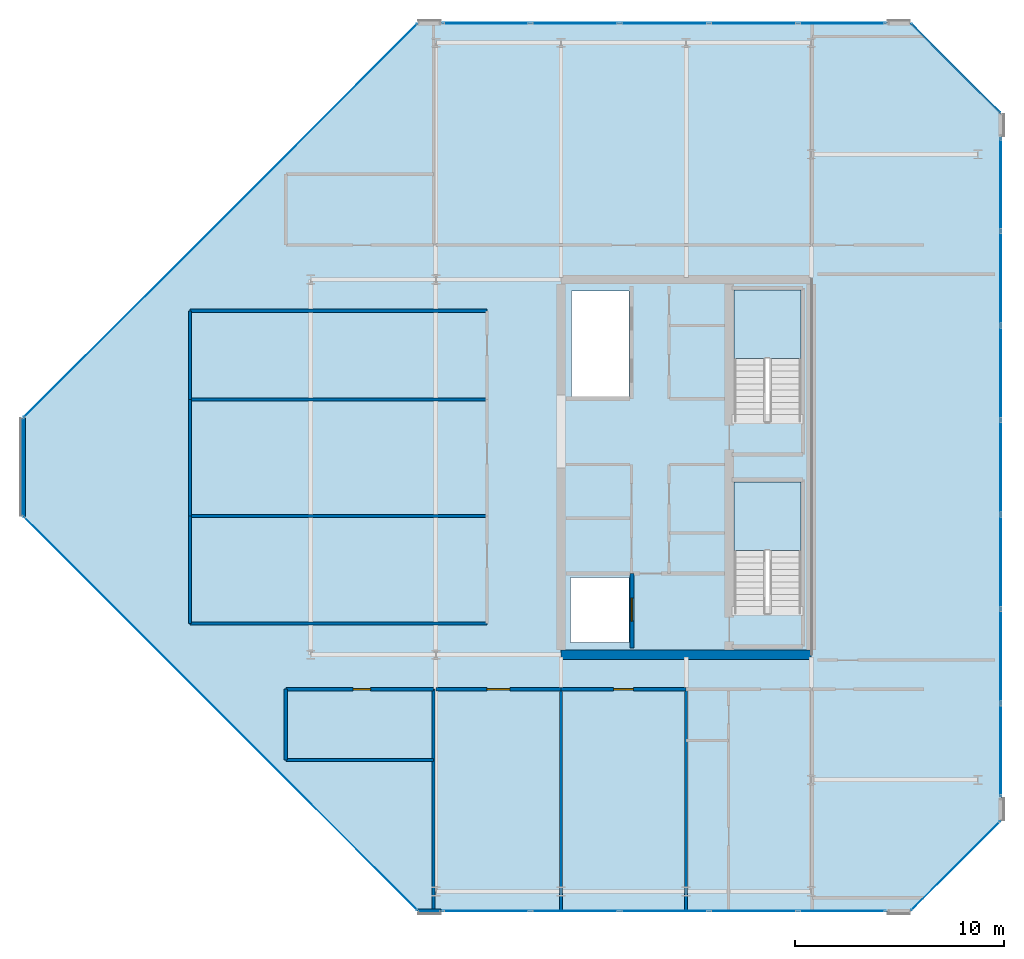
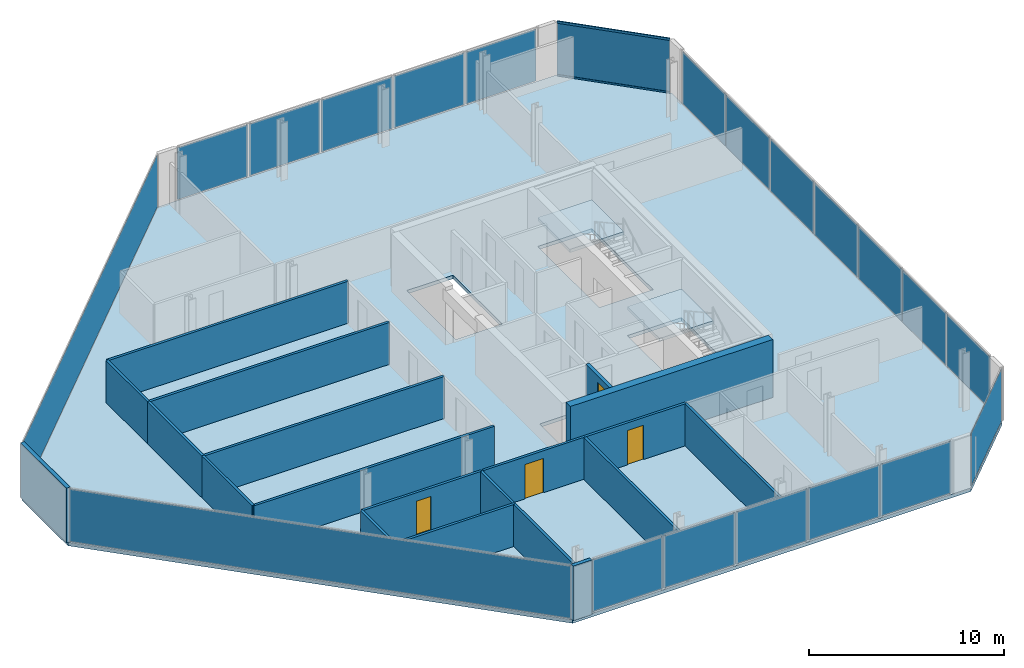
# One storey, part 13 of 17: 21 plates, 19 walls, 4 doors, 3 slabs, 2 members, 4 openings, 9 elements without a shape of their own.
"""IFC4 building model written with IfcOpenShell, lengths in metres."""

from ifc_helpers import new_model, si_unit, direction, frame, frame_2d, origin, origin_2d, place, context, subcontext, project, spatial, polyline, rectangle, hollow_rectangle, outline, extrude, material, layer, layer_set, material_profile, profile_set, type_object, element, fill, aggregate, save


model = new_model("IFC4")

# Units and contexts
model_context = context("Model", 3, precision=1e-05, world=origin(), true_north=direction((0.0, 1.0)))
body_context = subcontext(model_context, "Body", "Model", "MODEL_VIEW")
ifc_project = project(units=[si_unit("LENGTHUNIT", "METRE"), si_unit("AREAUNIT", "SQUARE_METRE"), si_unit("VOLUMEUNIT", "CUBIC_METRE"), si_unit("PLANEANGLEUNIT", "RADIAN"), si_unit("MASSUNIT", "GRAM", prefix="KILO")], contexts=[model_context])

# Site, building, storey
site_placement = place(None, origin())
site = spatial("IfcSite", under=ifc_project, at=site_placement, CompositionType="ELEMENT")
building_placement = place(site_placement, origin())
building = spatial("IfcBuilding", under=site, at=building_placement, Name="Tanjung Sevakor Pilgrim Tower", CompositionType="ELEMENT")
storey_placement = place(building_placement, frame((0.0, 0.0, 267.9599609375)))
storey = spatial("IfcBuildingStorey", under=building, at=storey_placement, Name="L75", CompositionType="ELEMENT", Elevation=267.9599609375)

# Curtain wall, members
ifc_material_1 = material(Name="Aluminium 6063-T6 and Low-E Glass", Category="aluminium")
ifc_layer_1 = layer(ifc_material_1, 0.179931640625)
ifc_layer_set_1 = layer_set([ifc_layer_1], Name="CW-SYS-CHAM")
curtain_wall_type_1 = type_object("IfcCurtainWallType", Name="CW-SYS-CHAM", PredefinedType="NOTDEFINED", material=ifc_layer_set_1)
curtain_wall_1_placement = place(storey_placement, origin())
curtain_wall_1 = element("IfcCurtainWall", 1, at=curtain_wall_1_placement, inside=storey, type_object=curtain_wall_type_1, Name="L75 Curtain Wall CW-CHM-L75-EAST-3", PredefinedType="NOTDEFINED")
ifc_material_2 = material(Name="Aluminium 6063-T6", Category="aluminium")
ifc_material_profile = material_profile(ifc_material_2, hollow_rectangle(XDim=0.06494140625, YDim=0.139892578125, WallThickness=0.00390625, at=origin_2d()))
ifc_profile_set = profile_set([ifc_material_profile], Name="Aluminium 6063-T6")
member_type = type_object("IfcMemberType", Name="TYPE-CWT-1", PredefinedType="USERDEFINED", material=ifc_profile_set)
member_1_placement = place(storey_placement, frame((99.0439453125, 50.600341796875, 0.032470703125), z_axis=(-0.707106781187, 0.707106781187, 0.0), x_axis=(-0.707106781187, -0.707106781187, 0.0)))
member_1 = element("IfcMember", 2, at=member_1_placement, type_object=member_type, Name="CW-CHM transom 1.1", ObjectType="TRANSOM", PredefinedType="USERDEFINED", context=body_context, shape_type="SweptSolid", body=[
    extrude(hollow_rectangle(XDim=0.06494140625, YDim=0.139892578125, WallThickness=0.00390625, at=origin_2d()), origin(), (0.0, 0.0, 1.0), 6.00146484375),
])
member_2_placement = place(storey_placement, frame((99.0439453125, 50.600341796875, 3.37744140625), z_axis=(-0.707106781187, 0.707106781187, 0.0), x_axis=(-0.707106781187, -0.707106781187, 0.0)))
member_2 = element("IfcMember", 3, at=member_2_placement, type_object=member_type, Name="CW-CHM transom 1.2", ObjectType="TRANSOM", PredefinedType="USERDEFINED", context=body_context, shape_type="SweptSolid", body=[
    extrude(hollow_rectangle(XDim=0.06494140625, YDim=0.139892578125, WallThickness=0.00390625, at=origin_2d()), origin(), (0.0, 0.0, 1.0), 6.00146484375),
])

# Stair, slab
ifc_material_3 = material(Name="Concrete C40/50", Category="concrete")
stair_type = type_object("IfcStairType", Name="STAIR-ST-CR150", PredefinedType="HALF_TURN_STAIR", material=ifc_material_3)
stair_1_placement = place(storey_placement, origin())
stair_1 = element("IfcStair", 4, at=stair_1_placement, inside=storey, type_object=stair_type, Name="L75 East Core Exit Stair 1", PredefinedType="HALF_TURN_STAIR")
ifc_material_4 = material(Name="Concrete C40/50", Category="concrete")
ifc_layer_2 = layer(ifc_material_4, 0.199951171875)
ifc_layer_set_2 = layer_set([ifc_layer_2], Name="SL-LAND-200")
slab_type_1 = type_object("IfcSlabType", Name="SL-LAND-200", PredefinedType="LANDING", material=ifc_layer_set_2)
slab_1_placement = place(storey_placement, frame((0.0, 0.0, 1.614990234375)))
slab_1 = element("IfcSlab", 5, at=slab_1_placement, type_object=slab_type_1, Name="TS-E1 landing 1", PredefinedType="LANDING", context=body_context, shape_type="SweptSolid", body=[
    extrude(outline(polyline([(89.5, 29.60009765625), (89.5, 32.89990234375), (86.300048828125, 32.89990234375), (86.300048828125, 29.60009765625), (89.5, 29.60009765625)])), origin(), (0.0, 0.0, 1.0), 0.199951171875),
])
aggregate(stair_1, [slab_1])

stair_2_placement = place(storey_placement, origin())
stair_2 = element("IfcStair", 6, at=stair_2_placement, inside=storey, type_object=stair_type, Name="L75 East Core Exit Stair 2", PredefinedType="HALF_TURN_STAIR")
slab_2_placement = place(storey_placement, frame((0.0, 0.0, 1.614990234375)))
slab_2 = element("IfcSlab", 7, at=slab_2_placement, type_object=slab_type_1, Name="TS-E2 landing 1", PredefinedType="LANDING", context=body_context, shape_type="SweptSolid", body=[
    extrude(outline(polyline([(89.5, 38.800048828125), (89.5, 42.10009765625), (86.300048828125, 42.10009765625), (86.300048828125, 38.800048828125), (89.5, 38.800048828125)])), origin(), (0.0, 0.0, 1.0), 0.199951171875),
])
aggregate(stair_2, [slab_2])

# Slab
ifc_material_5 = material(Name="Concrete C40/50", Category="concrete")
ifc_layer_3 = layer(ifc_material_5, 0.219970703125)
ifc_layer_set_3 = layer_set([ifc_layer_3], Name="SL-TWR-220")
slab_type_2 = type_object("IfcSlabType", Name="SL-TWR-220", PredefinedType="FLOOR", material=ifc_layer_set_3)
slab_3_placement = place(storey_placement, frame((0.0, 0.0, -0.219970703125)))
element("IfcSlab", 8, at=slab_3_placement, inside=storey, type_object=slab_type_2, Name="L75 Floor Slab EAST", PredefinedType="FLOOR", context=body_context, shape_type="SweptSolid", body=[
    extrude(outline(polyline([(71.14697265625, 12.280029296875), (94.753173828125, 12.280029296875), (99.1201171875, 16.64697265625), (99.1201171875, 50.552978515625), (94.753173828125, 54.919921875), (71.14697265625, 54.919921875), (52.179931640625, 35.953125), (52.179931640625, 31.246826171875), (71.14697265625, 12.280029296875)]), holes=[polyline([(89.5, 26.60009765625), (89.5, 32.89990234375), (86.300048828125, 32.89990234375), (86.300048828125, 26.60009765625), (89.5, 26.60009765625)]), polyline([(89.5, 35.800048828125), (89.5, 42.10009765625), (86.300048828125, 42.10009765625), (86.300048828125, 35.800048828125), (89.5, 35.800048828125)]), polyline([(78.449951171875, 25.199951171875), (81.25, 25.199951171875), (81.25, 28.300048828125), (78.449951171875, 28.300048828125), (78.449951171875, 25.199951171875)]), polyline([(78.5, 37.0), (81.25, 37.0), (81.25, 42.050048828125), (78.5, 42.050048828125), (78.5, 37.0)])]), origin(), (0.0, 0.0, 1.0), 0.219970703125),
])

# Curtain wall, plate
curtain_wall_2_placement = place(storey_placement, origin())
curtain_wall_2 = element("IfcCurtainWall", 9, at=curtain_wall_2_placement, inside=storey, type_object=curtain_wall_type_1, Name="L75 Curtain Wall CW-CHM-L75-EAST-1", PredefinedType="NOTDEFINED")
ifc_material_6 = material(Name="Laminated Low-E Double Glazing", Category="glass")
ifc_layer_4 = layer(ifc_material_6, 0.028076171875)
ifc_layer_set_4 = layer_set([ifc_layer_4], Name="TYPE-CWP-GLZ1")
plate_type_1 = type_object("IfcPlateType", Name="TYPE-CWP-GLZ1", PredefinedType="CURTAIN_PANEL", material=ifc_layer_set_4)
plate_1_placement = place(storey_placement, frame((96.922119140625, 14.477783203125, 0.06494140625), z_axis=(0.0, 0.0, 1.0), x_axis=(0.707106781187, 0.707106781187, 0.0)))
plate_1 = element("IfcPlate", 10, at=plate_1_placement, type_object=plate_type_1, Name="CW-CHM panel 1.1", PredefinedType="CURTAIN_PANEL", context=body_context, shape_type="SweptSolid", body=[
    extrude(rectangle(XDim=6.00146484375, YDim=0.028076171875, at=origin_2d()), origin(), (0.0, 0.0, 1.0), 3.280029296875),
])
aggregate(curtain_wall_2, [plate_1])

# Plate
plate_2_placement = place(storey_placement, frame((96.922119140625, 52.72216796875, 0.06494140625), z_axis=(0.0, 0.0, 1.0), x_axis=(-0.707106781187, 0.707106781187, 0.0)))
plate_2 = element("IfcPlate", 11, at=plate_2_placement, type_object=plate_type_1, Name="CW-CHM panel 1.1", PredefinedType="CURTAIN_PANEL", context=body_context, shape_type="SweptSolid", body=[
    extrude(rectangle(XDim=6.00146484375, YDim=0.028076171875, at=origin_2d()), origin(), (0.0, 0.0, 1.0), 3.280029296875),
])

aggregate(curtain_wall_1, [member_1, member_2, plate_2])

# Curtain wall, plate
curtain_wall_3_placement = place(storey_placement, origin())
curtain_wall_3 = element("IfcCurtainWall", 12, at=curtain_wall_3_placement, inside=storey, type_object=curtain_wall_type_1, Name="L75 Curtain Wall CW-CHM-L75-EAST-5", PredefinedType="NOTDEFINED")
plate_3_placement = place(storey_placement, frame((61.677734375, 45.422119140625, 0.06494140625), z_axis=(0.0, 0.0, 1.0), x_axis=(-0.707106781187, -0.707106781187, 0.0)))
plate_3 = element("IfcPlate", 13, at=plate_3_placement, type_object=plate_type_1, Name="CW-CHM panel 1.1", PredefinedType="CURTAIN_PANEL", context=body_context, shape_type="SweptSolid", body=[
    extrude(rectangle(XDim=26.64892578125, YDim=0.028076171875, at=origin_2d()), origin(), (0.0, 0.0, 1.0), 3.280029296875),
])
aggregate(curtain_wall_3, [plate_3])

curtain_wall_4_placement = place(storey_placement, origin())
curtain_wall_4 = element("IfcCurtainWall", 14, at=curtain_wall_4_placement, inside=storey, type_object=curtain_wall_type_1, Name="L75 Curtain Wall CW-CHM-L75-EAST-7", PredefinedType="NOTDEFINED")
plate_4_placement = place(storey_placement, frame((61.677734375, 21.77783203125, 0.06494140625), z_axis=(0.0, 0.0, 1.0), x_axis=(0.707106781187, -0.707106781187, 0.0)))
plate_4 = element("IfcPlate", 15, at=plate_4_placement, type_object=plate_type_1, Name="CW-CHM panel 1.1", PredefinedType="CURTAIN_PANEL", context=body_context, shape_type="SweptSolid", body=[
    extrude(rectangle(XDim=26.64892578125, YDim=0.028076171875, at=origin_2d()), origin(), (0.0, 0.0, 1.0), 3.280029296875),
])
aggregate(curtain_wall_4, [plate_4])

# Curtain wall, plates
ifc_material_7 = material(Name="Aluminium 6063-T6 and Low-E Glass", Category="aluminium")
ifc_layer_5 = layer(ifc_material_7, 0.219970703125)
ifc_layer_set_5 = layer_set([ifc_layer_5], Name="CW-SYS-CRNE")
curtain_wall_type_2 = type_object("IfcCurtainWallType", Name="CW-SYS-CRNE", PredefinedType="NOTDEFINED", material=ifc_layer_set_5)
curtain_wall_5_placement = place(storey_placement, origin())
curtain_wall_5 = element("IfcCurtainWall", 16, at=curtain_wall_5_placement, inside=storey, type_object=curtain_wall_type_2, Name="L75 Curtain Wall CW-CRN-L75-EAST-0-1", PredefinedType="NOTDEFINED")
ifc_material_8 = material(Name="Solar-Control Low-E Acoustic Glazing", Category="glass")
ifc_layer_6 = layer(ifc_material_8, 0.031982421875)
ifc_layer_set_6 = layer_set([ifc_layer_6], Name="TYPE-CWP-GLZ2")
plate_type_2 = type_object("IfcPlateType", Name="TYPE-CWP-GLZ2", PredefinedType="CURTAIN_PANEL", material=ifc_layer_set_6)
plate_5_placement = place(storey_placement, frame((74.406494140625, 12.31005859375, 0.080078125), z_axis=(0.0, 0.0, 1.0), x_axis=(1.0, 0.0, 0.0)))
plate_5 = element("IfcPlate", 17, at=plate_5_placement, type_object=plate_type_2, Name="CW-CRE panel 1.1", PredefinedType="CURTAIN_PANEL", context=body_context, shape_type="SweptSolid", body=[
    extrude(rectangle(XDim=4.161865234375, YDim=0.031982421875, at=origin_2d()), origin(), (0.0, 0.0, 1.0), 3.25),
])
plate_6_placement = place(storey_placement, frame((78.668212890625, 12.31005859375, 0.080078125), z_axis=(0.0, 0.0, 1.0), x_axis=(1.0, 0.0, 0.0)))
plate_6 = element("IfcPlate", 18, at=plate_6_placement, type_object=plate_type_2, Name="CW-CRE panel 2.1", PredefinedType="CURTAIN_PANEL", context=body_context, shape_type="SweptSolid", body=[
    extrude(rectangle(XDim=4.20166015625, YDim=0.031982421875, at=origin_2d()), origin(), (0.0, 0.0, 1.0), 3.25),
])
plate_7_placement = place(storey_placement, frame((82.949951171875, 12.31005859375, 0.080078125), z_axis=(0.0, 0.0, 1.0), x_axis=(1.0, 0.0, 0.0)))
plate_7 = element("IfcPlate", 19, at=plate_7_placement, type_object=plate_type_2, Name="CW-CRE panel 3.1", PredefinedType="CURTAIN_PANEL", context=body_context, shape_type="SweptSolid", body=[
    extrude(rectangle(XDim=4.20166015625, YDim=0.031982421875, at=origin_2d()), origin(), (0.0, 0.0, 1.0), 3.25),
])
plate_8_placement = place(storey_placement, frame((87.231689453125, 12.31005859375, 0.080078125), z_axis=(0.0, 0.0, 1.0), x_axis=(1.0, 0.0, 0.0)))
plate_8 = element("IfcPlate", 20, at=plate_8_placement, type_object=plate_type_2, Name="CW-CRE panel 4.1", PredefinedType="CURTAIN_PANEL", context=body_context, shape_type="SweptSolid", body=[
    extrude(rectangle(XDim=4.20166015625, YDim=0.031982421875, at=origin_2d()), origin(), (0.0, 0.0, 1.0), 3.25),
])
plate_9_placement = place(storey_placement, frame((91.493408203125, 12.31005859375, 0.080078125), z_axis=(0.0, 0.0, 1.0), x_axis=(1.0, 0.0, 0.0)))
plate_9 = element("IfcPlate", 21, at=plate_9_placement, type_object=plate_type_2, Name="CW-CRE panel 5.1", PredefinedType="CURTAIN_PANEL", context=body_context, shape_type="SweptSolid", body=[
    extrude(rectangle(XDim=4.161865234375, YDim=0.031982421875, at=origin_2d()), origin(), (0.0, 0.0, 1.0), 3.25),
])
aggregate(curtain_wall_5, [plate_5, plate_6, plate_7, plate_8, plate_9])

curtain_wall_6_placement = place(storey_placement, origin())
curtain_wall_6 = element("IfcCurtainWall", 22, at=curtain_wall_6_placement, inside=storey, type_object=curtain_wall_type_2, Name="L75 Curtain Wall CW-CRN-L75-EAST-2-1", PredefinedType="NOTDEFINED")
plate_10_placement = place(storey_placement, frame((99.090087890625, 20.030517578125, 0.080078125), z_axis=(0.0, 0.0, 1.0), x_axis=(0.0, 1.0, 0.0)))
plate_10 = element("IfcPlate", 23, at=plate_10_placement, type_object=plate_type_2, Name="CW-CRE panel 1.1", PredefinedType="CURTAIN_PANEL", context=body_context, shape_type="SweptSolid", body=[
    extrude(rectangle(XDim=4.409912109375, YDim=0.031982421875, at=origin_2d()), origin(), (0.0, 0.0, 1.0), 3.25),
])
plate_11_placement = place(storey_placement, frame((99.090087890625, 24.540283203125, 0.080078125), z_axis=(0.0, 0.0, 1.0), x_axis=(0.0, 1.0, 0.0)))
plate_11 = element("IfcPlate", 24, at=plate_11_placement, type_object=plate_type_2, Name="CW-CRE panel 2.1", PredefinedType="CURTAIN_PANEL", context=body_context, shape_type="SweptSolid", body=[
    extrude(rectangle(XDim=4.44970703125, YDim=0.031982421875, at=origin_2d()), origin(), (0.0, 0.0, 1.0), 3.25),
])
plate_12_placement = place(storey_placement, frame((99.090087890625, 29.070068359375, 0.080078125), z_axis=(0.0, 0.0, 1.0), x_axis=(0.0, 1.0, 0.0)))
plate_12 = element("IfcPlate", 25, at=plate_12_placement, type_object=plate_type_2, Name="CW-CRE panel 3.1", PredefinedType="CURTAIN_PANEL", context=body_context, shape_type="SweptSolid", body=[
    extrude(rectangle(XDim=4.44970703125, YDim=0.031982421875, at=origin_2d()), origin(), (0.0, 0.0, 1.0), 3.25),
])
plate_13_placement = place(storey_placement, frame((99.090087890625, 33.60009765625, 0.080078125), z_axis=(0.0, 0.0, 1.0), x_axis=(0.0, 1.0, 0.0)))
plate_13 = element("IfcPlate", 26, at=plate_13_placement, type_object=plate_type_2, Name="CW-CRE panel 4.1", PredefinedType="CURTAIN_PANEL", context=body_context, shape_type="SweptSolid", body=[
    extrude(rectangle(XDim=4.44970703125, YDim=0.031982421875, at=origin_2d()), origin(), (0.0, 0.0, 1.0), 3.25),
])
plate_14_placement = place(storey_placement, frame((99.090087890625, 38.1298828125, 0.080078125), z_axis=(0.0, 0.0, 1.0), x_axis=(0.0, 1.0, 0.0)))
plate_14 = element("IfcPlate", 27, at=plate_14_placement, type_object=plate_type_2, Name="CW-CRE panel 5.1", PredefinedType="CURTAIN_PANEL", context=body_context, shape_type="SweptSolid", body=[
    extrude(rectangle(XDim=4.44970703125, YDim=0.031982421875, at=origin_2d()), origin(), (0.0, 0.0, 1.0), 3.25),
])
plate_15_placement = place(storey_placement, frame((99.090087890625, 42.65966796875, 0.080078125), z_axis=(0.0, 0.0, 1.0), x_axis=(0.0, 1.0, 0.0)))
plate_15 = element("IfcPlate", 28, at=plate_15_placement, type_object=plate_type_2, Name="CW-CRE panel 6.1", PredefinedType="CURTAIN_PANEL", context=body_context, shape_type="SweptSolid", body=[
    extrude(rectangle(XDim=4.44970703125, YDim=0.031982421875, at=origin_2d()), origin(), (0.0, 0.0, 1.0), 3.25),
])
plate_16_placement = place(storey_placement, frame((99.090087890625, 47.16943359375, 0.080078125), z_axis=(0.0, 0.0, 1.0), x_axis=(0.0, 1.0, 0.0)))
plate_16 = element("IfcPlate", 29, at=plate_16_placement, type_object=plate_type_2, Name="CW-CRE panel 7.1", PredefinedType="CURTAIN_PANEL", context=body_context, shape_type="SweptSolid", body=[
    extrude(rectangle(XDim=4.409912109375, YDim=0.031982421875, at=origin_2d()), origin(), (0.0, 0.0, 1.0), 3.25),
])
aggregate(curtain_wall_6, [plate_10, plate_11, plate_12, plate_13, plate_14, plate_15, plate_16])

curtain_wall_7_placement = place(storey_placement, origin())
curtain_wall_7 = element("IfcCurtainWall", 30, at=curtain_wall_7_placement, inside=storey, type_object=curtain_wall_type_2, Name="L75 Curtain Wall CW-CRN-L75-EAST-4-1", PredefinedType="NOTDEFINED")
plate_17_placement = place(storey_placement, frame((91.493408203125, 54.889892578125, 0.080078125), z_axis=(0.0, 0.0, 1.0), x_axis=(-1.0, 0.0, 0.0)))
plate_17 = element("IfcPlate", 31, at=plate_17_placement, type_object=plate_type_2, Name="CW-CRE panel 1.1", PredefinedType="CURTAIN_PANEL", context=body_context, shape_type="SweptSolid", body=[
    extrude(rectangle(XDim=4.161865234375, YDim=0.031982421875, at=origin_2d()), origin(), (0.0, 0.0, 1.0), 3.25),
])
plate_18_placement = place(storey_placement, frame((87.231689453125, 54.889892578125, 0.080078125), z_axis=(0.0, 0.0, 1.0), x_axis=(-1.0, 0.0, 0.0)))
plate_18 = element("IfcPlate", 32, at=plate_18_placement, type_object=plate_type_2, Name="CW-CRE panel 2.1", PredefinedType="CURTAIN_PANEL", context=body_context, shape_type="SweptSolid", body=[
    extrude(rectangle(XDim=4.20166015625, YDim=0.031982421875, at=origin_2d()), origin(), (0.0, 0.0, 1.0), 3.25),
])
plate_19_placement = place(storey_placement, frame((82.949951171875, 54.889892578125, 0.080078125), z_axis=(0.0, 0.0, 1.0), x_axis=(-1.0, 0.0, 0.0)))
plate_19 = element("IfcPlate", 33, at=plate_19_placement, type_object=plate_type_2, Name="CW-CRE panel 3.1", PredefinedType="CURTAIN_PANEL", context=body_context, shape_type="SweptSolid", body=[
    extrude(rectangle(XDim=4.20166015625, YDim=0.031982421875, at=origin_2d()), origin(), (0.0, 0.0, 1.0), 3.25),
])
plate_20_placement = place(storey_placement, frame((78.668212890625, 54.889892578125, 0.080078125), z_axis=(0.0, 0.0, 1.0), x_axis=(-1.0, 0.0, 0.0)))
plate_20 = element("IfcPlate", 34, at=plate_20_placement, type_object=plate_type_2, Name="CW-CRE panel 4.1", PredefinedType="CURTAIN_PANEL", context=body_context, shape_type="SweptSolid", body=[
    extrude(rectangle(XDim=4.20166015625, YDim=0.031982421875, at=origin_2d()), origin(), (0.0, 0.0, 1.0), 3.25),
])
plate_21_placement = place(storey_placement, frame((74.406494140625, 54.889892578125, 0.080078125), z_axis=(0.0, 0.0, 1.0), x_axis=(-1.0, 0.0, 0.0)))
plate_21 = element("IfcPlate", 35, at=plate_21_placement, type_object=plate_type_2, Name="CW-CRE panel 5.1", PredefinedType="CURTAIN_PANEL", context=body_context, shape_type="SweptSolid", body=[
    extrude(rectangle(XDim=4.161865234375, YDim=0.031982421875, at=origin_2d()), origin(), (0.0, 0.0, 1.0), 3.25),
])
aggregate(curtain_wall_7, [plate_17, plate_18, plate_19, plate_20, plate_21])

# Walls
ifc_material_9 = material(Name="Concrete C60/75", Category="concrete")
ifc_layer_7 = layer(ifc_material_9, 0.449951171875)
ifc_layer_set_7 = layer_set([ifc_layer_7], Name="WALL-CW-450")
wall_type_1 = type_object("IfcWallType", Name="WALL-CW-450", PredefinedType="SHEAR", material=ifc_layer_set_7)
wall_1_placement = place(storey_placement, frame((78.0, 24.60009765625, 0.0), z_axis=(0.0, 0.0, 1.0), x_axis=(1.0, 0.0, 0.0)))
element("IfcWall", 36, at=wall_1_placement, inside=storey, type_object=wall_type_1, Name="L75 E Core South Shear Wall", PredefinedType="SHEAR", context=body_context, shape_type="SweptSolid", body=[
    extrude(rectangle(XDim=12.0, YDim=0.449951171875, at=frame_2d((6.0, 0.0))), origin(), (0.0, 0.0, 1.0), 3.630126953125),
])
ifc_material_10 = material(Name="Concrete C40/50", Category="concrete")
ifc_layer_8 = layer(ifc_material_10, 0.14990234375)
ifc_layer_set_8 = layer_set([ifc_layer_8], Name="WT-COMP-150")
wall_type_2 = type_object("IfcWallType", Name="WT-COMP-150", PredefinedType="SOLIDWALL", material=ifc_layer_set_8)
wall_2_placement = place(storey_placement, frame((64.800048828125, 19.550048828125, 0.0), z_axis=(0.0, 0.0, 1.0), x_axis=(1.0, 0.0, 0.0)))
element("IfcWall", 37, at=wall_2_placement, inside=storey, type_object=wall_type_2, Name="L75 Partition IW-L75-014", PredefinedType="SOLIDWALL", context=body_context, shape_type="SweptSolid", body=[
    extrude(rectangle(XDim=7.079833984375, YDim=0.14990234375, at=frame_2d((3.5400390625, 0.0))), origin(), (0.0, 0.0, 1.0), 2.6298828125),
])

# Wall, opening, door
wall_3_placement = place(storey_placement, frame((64.800048828125, 22.949951171875, 0.0), z_axis=(0.0, 0.0, 1.0), x_axis=(1.0, 0.0, 0.0)))
wall_3 = element("IfcWall", 38, at=wall_3_placement, inside=storey, type_object=wall_type_2, Name="L75 Partition IW-L75-015", PredefinedType="SOLIDWALL", context=body_context, shape_type="SweptSolid", body=[
    extrude(rectangle(XDim=7.079833984375, YDim=0.14990234375, at=frame_2d((3.5400390625, 0.0))), origin(), (0.0, 0.0, 1.0), 2.6298828125),
])
opening_1_placement = place(wall_3_placement, frame((3.22509765625, 0.0, 0.0)))
opening_1 = element("IfcOpeningElement", 39, at=opening_1_placement, cuts=wall_3, Name="Opening ID-WC1", PredefinedType="OPENING", context=body_context, shape_type="SweptSolid", body=[
    extrude(rectangle(XDim=0.85009765625, YDim=2.10009765625, at=frame_2d((0.425048828125, 1.050048828125))), frame((0.0, 0.0849609375, 0.0), z_axis=(0.0, -1.0, 0.0), x_axis=(1.0, 0.0, 0.0)), (0.0, 0.0, 1.0), 0.169921875),
])
ifc_material_11 = material(Name="Moisture-Resistant Timber", Category="wood")
door_type_1 = type_object("IfcDoorType", Name="DT-INT-850", OperationType="NOTDEFINED", PredefinedType="DOOR", material=ifc_material_11)
door_1_placement = place(opening_1_placement, origin())
door_1 = element("IfcDoor", 40, at=door_1_placement, inside=storey, type_object=door_type_1, Name="L75 SW Crown Suite Door", OperationType="SINGLE_SWING_RIGHT", OverallHeight=2.10009765625, OverallWidth=0.85009765625, PredefinedType="DOOR", context=body_context, shape_type="SweptSolid", body=[
    extrude(rectangle(XDim=0.85009765625, YDim=2.10009765625, at=frame_2d((0.425048828125, 1.050048828125))), frame((0.0, 0.02490234375, 0.0), z_axis=(0.0, -1.0, 0.0), x_axis=(1.0, 0.0, 0.0)), (0.0, 0.0, 1.0), 0.050048828125),
])
fill(opening_1, door_1)

# Walls
wall_4_placement = place(storey_placement, frame((64.800048828125, 19.550048828125, 0.0), z_axis=(0.0, 0.0, 1.0), x_axis=(0.0, 1.0, 0.0)))
element("IfcWall", 41, at=wall_4_placement, inside=storey, type_object=wall_type_2, Name="L75 Partition IW-L75-016", PredefinedType="SOLIDWALL", context=body_context, shape_type="SweptSolid", body=[
    extrude(rectangle(XDim=3.39990234375, YDim=0.14990234375, at=frame_2d((1.699951171875, 0.0))), origin(), (0.0, 0.0, 1.0), 2.6298828125),
])
for number, where, z_axis, x_axis, name in (
    (42, (71.8798828125, 12.340087890625, 0.0), (0.0, 0.0, 1.0), (0.0, 1.0, 0.0), "L75 Partition IW-L75-017"),
    (43, (78.0, 12.340087890625, 0.0), (0.0, 0.0, 1.0), (0.0, 1.0, 0.0), "L75 Partition IW-L75-030"),
):
    element("IfcWall", number, at=place(storey_placement, frame(where, z_axis=z_axis, x_axis=x_axis)), inside=storey, type_object=wall_type_2, Name=name, PredefinedType="SOLIDWALL", context=body_context, shape_type="SweptSolid", body=[
        extrude(rectangle(XDim=10.60986328125, YDim=0.14990234375, at=frame_2d((5.304931640625, 0.0))), origin(), (0.0, 0.0, 1.0), 2.6298828125),
    ])

# Wall, opening, door
wall_5_placement = place(storey_placement, frame((72.0, 22.949951171875, 0.0), z_axis=(0.0, 0.0, 1.0), x_axis=(1.0, 0.0, 0.0)))
wall_5 = element("IfcWall", 44, at=wall_5_placement, inside=storey, type_object=wall_type_2, Name="L75 Partition IW-L75-031", PredefinedType="SOLIDWALL", context=body_context, shape_type="SweptSolid", body=[
    extrude(rectangle(XDim=6.0, YDim=0.14990234375, at=frame_2d((3.0, 0.0))), origin(), (0.0, 0.0, 1.0), 2.6298828125),
])
opening_2_placement = place(wall_5_placement, frame((2.449951171875, 0.0, 0.0)))
opening_2 = element("IfcOpeningElement", 45, at=opening_2_placement, cuts=wall_5, Name="Opening ID-FD0", PredefinedType="OPENING", context=body_context, shape_type="SweptSolid", body=[
    extrude(rectangle(XDim=1.10009765625, YDim=2.14990234375, at=frame_2d((0.550048828125, 1.074951171875))), frame((0.0, 0.0849609375, 0.0), z_axis=(0.0, -1.0, 0.0), x_axis=(1.0, 0.0, 0.0)), (0.0, 0.0, 1.0), 0.169921875),
])
ifc_material_12 = material(Name="Fire-Rated Steel S355J2", Category="steel")
door_type_2 = type_object("IfcDoorType", Name="DT-FIRE-1100", OperationType="NOTDEFINED", PredefinedType="DOOR", material=ifc_material_12)
door_2_placement = place(opening_2_placement, origin())
door_2 = element("IfcDoor", 46, at=door_2_placement, inside=storey, type_object=door_type_2, Name="Council Room Door", OperationType="SINGLE_SWING_LEFT", OverallHeight=2.14990234375, OverallWidth=1.10009765625, PredefinedType="DOOR", context=body_context, shape_type="SweptSolid", body=[
    extrude(rectangle(XDim=1.10009765625, YDim=2.14990234375, at=frame_2d((0.550048828125, 1.074951171875))), frame((0.0, 0.02490234375, 0.0), z_axis=(0.0, -1.0, 0.0), x_axis=(1.0, 0.0, 0.0)), (0.0, 0.0, 1.0), 0.050048828125),
])
fill(opening_2, door_2)

# Wall
wall_6_placement = place(storey_placement, frame((84.0, 12.340087890625, 0.0), z_axis=(0.0, 0.0, 1.0), x_axis=(0.0, 1.0, 0.0)))
element("IfcWall", 47, at=wall_6_placement, inside=storey, type_object=wall_type_2, Name="L75 Partition IW-L75-032", PredefinedType="SOLIDWALL", context=body_context, shape_type="SweptSolid", body=[
    extrude(rectangle(XDim=10.60986328125, YDim=0.14990234375, at=frame_2d((5.304931640625, 0.0))), origin(), (0.0, 0.0, 1.0), 2.6298828125),
])

# Wall, opening, door
wall_7_placement = place(storey_placement, frame((78.0, 22.949951171875, 0.0), z_axis=(0.0, 0.0, 1.0), x_axis=(1.0, 0.0, 0.0)))
wall_7 = element("IfcWall", 48, at=wall_7_placement, inside=storey, type_object=wall_type_2, Name="L75 Partition IW-L75-033", PredefinedType="SOLIDWALL", context=body_context, shape_type="SweptSolid", body=[
    extrude(rectangle(XDim=6.0, YDim=0.14990234375, at=frame_2d((3.0, 0.0))), origin(), (0.0, 0.0, 1.0), 2.6298828125),
])
opening_3_placement = place(wall_7_placement, frame((2.52490234375, 0.0, 0.0)))
opening_3 = element("IfcOpeningElement", 49, at=opening_3_placement, cuts=wall_7, Name="Opening ID-FD2", PredefinedType="OPENING", context=body_context, shape_type="SweptSolid", body=[
    extrude(rectangle(XDim=0.949951171875, YDim=2.14990234375, at=frame_2d((0.47509765625, 1.074951171875))), frame((0.0, 0.0849609375, 0.0), z_axis=(0.0, -1.0, 0.0), x_axis=(1.0, 0.0, 0.0)), (0.0, 0.0, 1.0), 0.169921875),
])
ifc_material_13 = material(Name="Fire-Rated Timber", Category="wood")
door_type_3 = type_object("IfcDoorType", Name="DT-FIRE-950", OperationType="NOTDEFINED", PredefinedType="DOOR", material=ifc_material_13)
door_3_placement = place(opening_3_placement, origin())
door_3 = element("IfcDoor", 50, at=door_3_placement, inside=storey, type_object=door_type_3, Name="Housekeeping Pantry Door", OperationType="SINGLE_SWING_RIGHT", OverallHeight=2.14990234375, OverallWidth=0.949951171875, PredefinedType="DOOR", context=body_context, shape_type="SweptSolid", body=[
    extrude(rectangle(XDim=0.949951171875, YDim=2.14990234375, at=frame_2d((0.47509765625, 1.074951171875))), frame((0.0, 0.02490234375, 0.0), z_axis=(0.0, -1.0, 0.0), x_axis=(1.0, 0.0, 0.0)), (0.0, 0.0, 1.0), 0.050048828125),
])
fill(opening_3, door_3)

# Walls
for number, where, z_axis, x_axis, name in (
    (51, (60.199951171875, 26.10009765625, 0.0), (0.0, 0.0, 1.0), (1.0, 0.0, 0.0), "L75 Partition IW-L75-038"),
    (52, (60.199951171875, 31.25, 0.0), (0.0, 0.0, 1.0), (1.0, 0.0, 0.0), "L75 Partition IW-L75-039"),
):
    element("IfcWall", number, at=place(storey_placement, frame(where, z_axis=z_axis, x_axis=x_axis)), inside=storey, type_object=wall_type_2, Name=name, PredefinedType="SOLIDWALL", context=body_context, shape_type="SweptSolid", body=[
        extrude(rectangle(XDim=14.25, YDim=0.14990234375, at=frame_2d((7.125, 0.0))), origin(), (0.0, 0.0, 1.0), 2.6298828125),
    ])
wall_8_placement = place(storey_placement, frame((60.199951171875, 26.10009765625, 0.0), z_axis=(0.0, 0.0, 1.0), x_axis=(0.0, 1.0, 0.0)))
element("IfcWall", 53, at=wall_8_placement, inside=storey, type_object=wall_type_2, Name="L75 Partition IW-L75-040", PredefinedType="SOLIDWALL", context=body_context, shape_type="SweptSolid", body=[
    extrude(rectangle(XDim=5.14990234375, YDim=0.14990234375, at=frame_2d((2.574951171875, 0.0))), origin(), (0.0, 0.0, 1.0), 2.6298828125),
])
wall_9_placement = place(storey_placement, frame((60.199951171875, 36.85009765625, 0.0), z_axis=(0.0, 0.0, 1.0), x_axis=(1.0, 0.0, 0.0)))
element("IfcWall", 54, at=wall_9_placement, inside=storey, type_object=wall_type_2, Name="L75 Partition IW-L75-042", PredefinedType="SOLIDWALL", context=body_context, shape_type="SweptSolid", body=[
    extrude(rectangle(XDim=14.25, YDim=0.14990234375, at=frame_2d((7.125, 0.0))), origin(), (0.0, 0.0, 1.0), 2.6298828125),
])
wall_10_placement = place(storey_placement, frame((60.199951171875, 31.25, 0.0), z_axis=(0.0, 0.0, 1.0), x_axis=(0.0, 1.0, 0.0)))
element("IfcWall", 55, at=wall_10_placement, inside=storey, type_object=wall_type_2, Name="L75 Partition IW-L75-043", PredefinedType="SOLIDWALL", context=body_context, shape_type="SweptSolid", body=[
    extrude(rectangle(XDim=5.60009765625, YDim=0.14990234375, at=frame_2d((2.800048828125, 0.0))), origin(), (0.0, 0.0, 1.0), 2.6298828125),
])
wall_11_placement = place(storey_placement, frame((60.199951171875, 41.10009765625, 0.0), z_axis=(0.0, 0.0, 1.0), x_axis=(1.0, 0.0, 0.0)))
element("IfcWall", 56, at=wall_11_placement, inside=storey, type_object=wall_type_2, Name="L75 Partition IW-L75-045", PredefinedType="SOLIDWALL", context=body_context, shape_type="SweptSolid", body=[
    extrude(rectangle(XDim=14.25, YDim=0.14990234375, at=frame_2d((7.125, 0.0))), origin(), (0.0, 0.0, 1.0), 2.6298828125),
])
wall_12_placement = place(storey_placement, frame((60.199951171875, 36.85009765625, 0.0), z_axis=(0.0, 0.0, 1.0), x_axis=(0.0, 1.0, 0.0)))
element("IfcWall", 57, at=wall_12_placement, inside=storey, type_object=wall_type_2, Name="L75 Partition IW-L75-046", PredefinedType="SOLIDWALL", context=body_context, shape_type="SweptSolid", body=[
    extrude(rectangle(XDim=4.25, YDim=0.14990234375, at=frame_2d((2.125, 0.0))), origin(), (0.0, 0.0, 1.0), 2.6298828125),
])
ifc_material_14 = material(Name="Precast concrete C45/55", Category="concrete")
ifc_layer_9 = layer(ifc_material_14, 0.219970703125)
ifc_layer_set_9 = layer_set([ifc_layer_9], Name="WT-EW-STN4")
wall_type_3 = type_object("IfcWallType", Name="WT-EW-STN4", PredefinedType="SOLIDWALL", material=ifc_layer_set_9)
wall_13_placement = place(storey_placement, frame((71.1455078125, 12.31005859375, 0.0), z_axis=(0.0, 0.0, 1.0), x_axis=(1.0, 0.0, 0.0)))
element("IfcWall", 58, at=wall_13_placement, inside=storey, type_object=wall_type_3, Name="L75 EAST Crown Pier 0-1A", PredefinedType="SOLIDWALL", context=body_context, shape_type="SweptSolid", body=[
    extrude(rectangle(XDim=1.10009765625, YDim=0.219970703125, at=frame_2d((0.550048828125, 0.0))), origin(), (0.0, 0.0, 1.0), 3.409912109375),
])
wall_14_placement = place(storey_placement, frame((52.2099609375, 35.954345703125, 0.0), z_axis=(0.0, 0.0, 1.0), x_axis=(0.0, -1.0, 0.0)))
element("IfcWall", 59, at=wall_14_placement, inside=storey, type_object=wall_type_3, Name="L75 EAST Exterior Wall 7", PredefinedType="SOLIDWALL", context=body_context, shape_type="SweptSolid", body=[
    extrude(rectangle(XDim=4.708740234375, YDim=0.219970703125, at=frame_2d((2.3544921875, 0.0))), origin(), (0.0, 0.0, 1.0), 3.409912109375),
])

# Wall, opening, door
ifc_material_15 = material(Name="Concrete C40/50", Category="concrete")
ifc_layer_10 = layer(ifc_material_15, 0.199951171875)
ifc_layer_set_10 = layer_set([ifc_layer_10], Name="WT-FPRT-200")
wall_type_4 = type_object("IfcWallType", Name="WT-FPRT-200", PredefinedType="SOLIDWALL", material=ifc_layer_set_10)
wall_15_placement = place(storey_placement, frame((81.39990234375, 24.919921875, 0.0), z_axis=(0.0, 0.0, 1.0), x_axis=(0.0, 1.0, 0.0)))
wall_15 = element("IfcWall", 60, at=wall_15_placement, inside=storey, type_object=wall_type_4, Name="L75 Partition IW-L75-001", PredefinedType="SOLIDWALL", context=body_context, shape_type="SweptSolid", body=[
    extrude(rectangle(XDim=3.580078125, YDim=0.199951171875, at=frame_2d((1.7900390625, 0.0))), origin(), (0.0, 0.0, 1.0), 2.6298828125),
])
opening_4_placement = place(wall_15_placement, frame((1.300048828125, 0.0, 0.0)))
opening_4 = element("IfcOpeningElement", 61, at=opening_4_placement, cuts=wall_15, Name="Opening LD-1100", PredefinedType="OPENING", context=body_context, shape_type="SweptSolid", body=[
    extrude(rectangle(XDim=1.10009765625, YDim=2.199951171875, at=frame_2d((0.550048828125, 1.10009765625))), frame((0.0, 0.10986328125, 0.0), z_axis=(0.0, -1.0, 0.0), x_axis=(1.0, 0.0, 0.0)), (0.0, 0.0, 1.0), 0.219970703125),
])
ifc_material_16 = material(Name="Brushed Stainless Steel S355J2", Category="steel")
door_type_4 = type_object("IfcDoorType", Name="DT-LIFT-1100", OperationType="SLIDING_TO_LEFT", PredefinedType="DOOR", material=ifc_material_16)
door_4_placement = place(opening_4_placement, origin())
door_4 = element("IfcDoor", 62, at=door_4_placement, inside=storey, type_object=door_type_4, Name="LD-FL-E", OperationType="SLIDING_TO_LEFT", OverallHeight=2.199951171875, OverallWidth=1.10009765625, PredefinedType="DOOR", context=body_context, shape_type="SweptSolid", body=[
    extrude(rectangle(XDim=1.10009765625, YDim=2.199951171875, at=frame_2d((0.550048828125, 1.10009765625))), frame((0.0, 0.02490234375, 0.0), z_axis=(0.0, -1.0, 0.0), x_axis=(1.0, 0.0, 0.0)), (0.0, 0.0, 1.0), 0.050048828125),
])
fill(opening_4, door_4)

save(model, "model.ifc")
